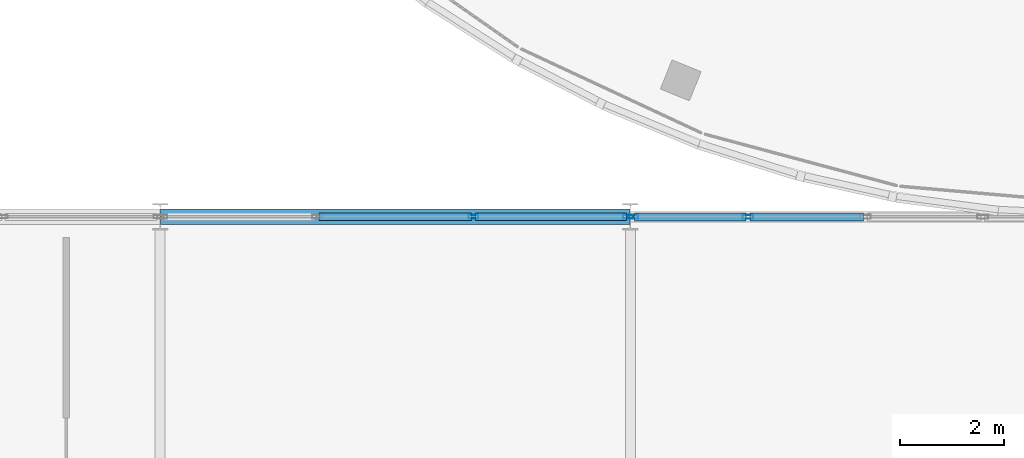
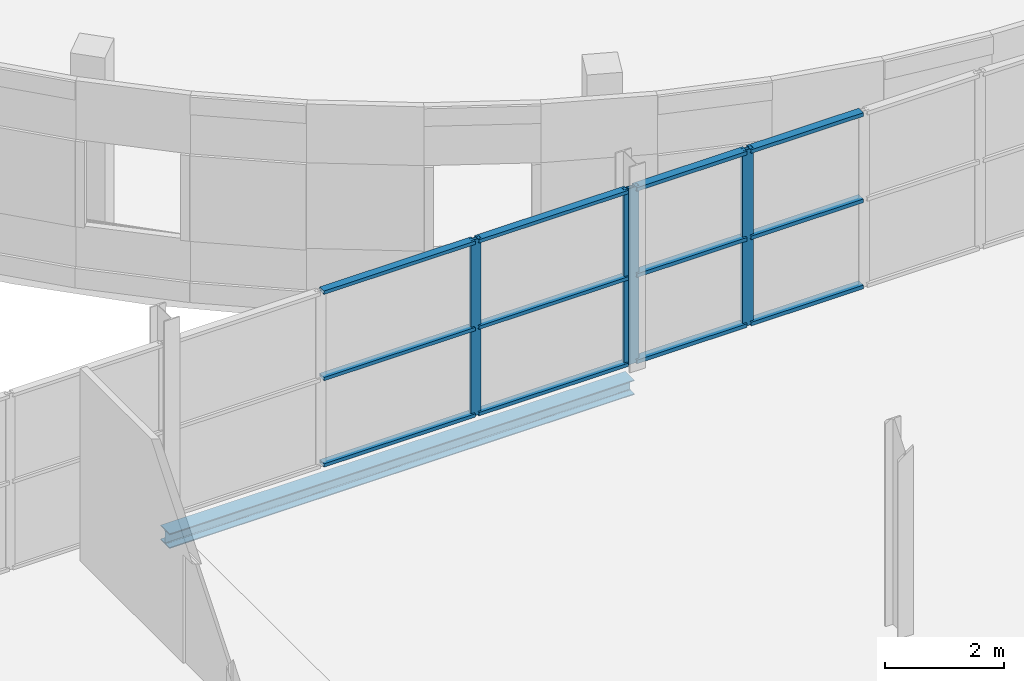
# One storey, part 71 of 132: 16 members, 1 beam, 2 elements without a shape of their own.
"""IFC4 building model written with IfcOpenShell, lengths in metres."""

from ifc_helpers import new_model, si_unit, direction, frame, origin, origin_2d, place, context, subcontext, project, spatial, hollow_rectangle, i_section, extrude, material, layer, layer_set, material_profile, profile_set, type_object, element, aggregate, save


model = new_model("IFC4")

# Units and contexts
model_context = context("Model", 3, precision=1e-05, world=origin(), true_north=direction((0.0, 1.0)))
body_context = subcontext(model_context, "Body", "Model", "MODEL_VIEW")
ifc_project = project(units=[si_unit("LENGTHUNIT", "METRE"), si_unit("AREAUNIT", "SQUARE_METRE"), si_unit("VOLUMEUNIT", "CUBIC_METRE"), si_unit("PLANEANGLEUNIT", "RADIAN"), si_unit("MASSUNIT", "GRAM", prefix="KILO")], contexts=[model_context])

# Site, building, storey
site_placement = place(None, origin())
site = spatial("IfcSite", under=ifc_project, at=site_placement, CompositionType="ELEMENT")
building_placement = place(site_placement, origin())
building = spatial("IfcBuilding", under=site, at=building_placement, Name="Deido Ridge Mobility Hub", CompositionType="ELEMENT")
storey_placement = place(building_placement, frame((0.0, 0.0, 8.39990234375)))
storey = spatial("IfcBuildingStorey", under=building, at=storey_placement, Name="L02", CompositionType="ELEMENT", Elevation=8.39990234375)

# Curtain wall, members
ifc_material_1 = material(Name="Anodised aluminium EN AW-6063 T6", Category="aluminium")
ifc_layer_1 = layer(ifc_material_1, 0.16796875, Name="Anodised aluminium EN AW-6063 T6")
ifc_layer_set_1 = layer_set([ifc_layer_1], Name="Anodised aluminium EN AW-6063 T6")
curtain_wall_type_1 = type_object("IfcCurtainWallType", Name="CW-GS-4", PredefinedType="USERDEFINED", material=ifc_layer_set_1)
curtain_wall_1_placement = place(storey_placement, origin())
curtain_wall_1 = element("IfcCurtainWall", 1, at=curtain_wall_1_placement, inside=storey, type_object=curtain_wall_type_1, Name="Unitised curtain wall GS4", ObjectType="GLAZED SCREEN", PredefinedType="USERDEFINED")
ifc_material_profile_1 = material_profile(ifc_material_1, hollow_rectangle(XDim=0.070068359375, YDim=0.18994140625, WallThickness=0.00390625, at=origin_2d()), Name="RHS 70x190x4")
ifc_profile_set_1 = profile_set([ifc_material_profile_1], Name="Anodised aluminium EN AW-6063 T6")
member_type_1 = type_object("IfcMemberType", Name="MEM-MUL-70X190", PredefinedType="MULLION", material=ifc_profile_set_1)
member_1_placement = place(storey_placement, frame((32.99755859375, 81.0, 0.0), z_axis=(0.0, 0.0, 1.0), x_axis=(0.0, 1.0, 0.0)))
member_1 = element("IfcMember", 2, at=member_1_placement, type_object=member_type_1, Name="GS4 mullion 3", PredefinedType="MULLION", context=body_context, shape_type="SweptSolid", body=[
    extrude(hollow_rectangle(XDim=0.070068359375, YDim=0.18994140625, WallThickness=0.00390625, at=origin_2d()), origin(), (0.0, 0.0, 1.0), 3.60009765625),
])
member_2_placement = place(storey_placement, frame((35.957763671875, 81.0, 0.0), z_axis=(0.0, 0.0, 1.0), x_axis=(0.0, 1.0, 0.0)))
member_2 = element("IfcMember", 3, at=member_2_placement, type_object=member_type_1, Name="GS4 mullion 4", PredefinedType="MULLION", context=body_context, shape_type="SweptSolid", body=[
    extrude(hollow_rectangle(XDim=0.070068359375, YDim=0.18994140625, WallThickness=0.00390625, at=origin_2d()), origin(), (0.0, 0.0, 1.0), 3.60009765625),
])

ifc_layer_2 = layer(ifc_material_1, 0.132080078125, Name="Anodised aluminium EN AW-6063 T6")
ifc_layer_set_2 = layer_set([ifc_layer_2], Name="Anodised aluminium EN AW-6063 T6")
curtain_wall_type_2 = type_object("IfcCurtainWallType", Name="CW-GS-1", PredefinedType="USERDEFINED", material=ifc_layer_set_2)
curtain_wall_2_placement = place(storey_placement, origin())
curtain_wall_2 = element("IfcCurtainWall", 4, at=curtain_wall_2_placement, inside=storey, type_object=curtain_wall_type_2, Name="Unitised curtain wall GS1", ObjectType="GLAZED SCREEN", PredefinedType="USERDEFINED")
ifc_material_profile_2 = material_profile(ifc_material_1, hollow_rectangle(XDim=0.074951171875, YDim=0.205078125, WallThickness=0.00390625, at=origin_2d()), Name="RHS 75x205x4")
ifc_profile_set_2 = profile_set([ifc_material_profile_2], Name="Anodised aluminium EN AW-6063 T6")
member_type_2 = type_object("IfcMemberType", Name="MEM-MUL-75X205", PredefinedType="MULLION", material=ifc_profile_set_2)
member_3_placement = place(storey_placement, frame((36.044677734375, 81.0, 0.0), z_axis=(0.0, 0.0, 1.0), x_axis=(0.0, 1.0, 0.0)))
member_3 = element("IfcMember", 5, at=member_3_placement, type_object=member_type_2, Name="GS1 mullion 1", PredefinedType="MULLION", context=body_context, shape_type="SweptSolid", body=[
    extrude(hollow_rectangle(XDim=0.074951171875, YDim=0.205078125, WallThickness=0.00390625, at=origin_2d()), origin(), (0.0, 0.0, 1.0), 3.60009765625),
])
member_4_placement = place(storey_placement, frame((38.253662109375, 81.0, 0.0), z_axis=(0.0, 0.0, 1.0), x_axis=(0.0, 1.0, 0.0)))
member_4 = element("IfcMember", 6, at=member_4_placement, type_object=member_type_2, Name="GS1 mullion 2", PredefinedType="MULLION", context=body_context, shape_type="SweptSolid", body=[
    extrude(hollow_rectangle(XDim=0.074951171875, YDim=0.205078125, WallThickness=0.00390625, at=origin_2d()), origin(), (0.0, 0.0, 1.0), 3.60009765625),
])

# Member
ifc_material_profile_3 = material_profile(ifc_material_1, hollow_rectangle(XDim=0.14501953125, YDim=0.070068359375, WallThickness=0.00390625, at=origin_2d()), Name="RHS 145x70x4")
ifc_profile_set_3 = profile_set([ifc_material_profile_3], Name="Anodised aluminium EN AW-6063 T6")
member_type_3 = type_object("IfcMemberType", Name="MEM-TRN-145X70", PredefinedType="USERDEFINED", material=ifc_profile_set_3)
member_5_placement = place(storey_placement, frame((30.037353515625, 81.0, 0.03515625), z_axis=(1.0, 0.0, 0.0), x_axis=(0.0, 1.0, 0.0)))
member_5 = element("IfcMember", 7, at=member_5_placement, type_object=member_type_3, Name="GS4 transom 2.1", ObjectType="TRANSOM", PredefinedType="USERDEFINED", context=body_context, shape_type="SweptSolid", body=[
    extrude(hollow_rectangle(XDim=0.14501953125, YDim=0.070068359375, WallThickness=0.00390625, at=origin_2d()), origin(), (0.0, 0.0, 1.0), 2.92529296875),
])

member_6_placement = place(storey_placement, frame((30.037353515625, 81.0, 1.800048828125), z_axis=(1.0, 0.0, 0.0), x_axis=(0.0, 1.0, 0.0)))
member_6 = element("IfcMember", 8, at=member_6_placement, type_object=member_type_3, Name="GS4 transom 2.2", ObjectType="TRANSOM", PredefinedType="USERDEFINED", context=body_context, shape_type="SweptSolid", body=[
    extrude(hollow_rectangle(XDim=0.14501953125, YDim=0.070068359375, WallThickness=0.00390625, at=origin_2d()), origin(), (0.0, 0.0, 1.0), 2.92529296875),
])

member_7_placement = place(storey_placement, frame((30.037353515625, 81.0, 3.565185546875), z_axis=(1.0, 0.0, 0.0), x_axis=(0.0, 1.0, 0.0)))
member_7 = element("IfcMember", 9, at=member_7_placement, type_object=member_type_3, Name="GS4 transom 2.3", ObjectType="TRANSOM", PredefinedType="USERDEFINED", context=body_context, shape_type="SweptSolid", body=[
    extrude(hollow_rectangle(XDim=0.14501953125, YDim=0.070068359375, WallThickness=0.00390625, at=origin_2d()), origin(), (0.0, 0.0, 1.0), 2.92529296875),
])

member_8_placement = place(storey_placement, frame((33.03271484375, 81.0, 0.03515625), z_axis=(1.0, 0.0, 0.0), x_axis=(0.0, 1.0, 0.0)))
member_8 = element("IfcMember", 10, at=member_8_placement, type_object=member_type_3, Name="GS4 transom 3.1", ObjectType="TRANSOM", PredefinedType="USERDEFINED", context=body_context, shape_type="SweptSolid", body=[
    extrude(hollow_rectangle(XDim=0.14501953125, YDim=0.070068359375, WallThickness=0.00390625, at=origin_2d()), origin(), (0.0, 0.0, 1.0), 2.89013671875),
])

member_9_placement = place(storey_placement, frame((33.03271484375, 81.0, 1.800048828125), z_axis=(1.0, 0.0, 0.0), x_axis=(0.0, 1.0, 0.0)))
member_9 = element("IfcMember", 11, at=member_9_placement, type_object=member_type_3, Name="GS4 transom 3.2", ObjectType="TRANSOM", PredefinedType="USERDEFINED", context=body_context, shape_type="SweptSolid", body=[
    extrude(hollow_rectangle(XDim=0.14501953125, YDim=0.070068359375, WallThickness=0.00390625, at=origin_2d()), origin(), (0.0, 0.0, 1.0), 2.89013671875),
])

member_10_placement = place(storey_placement, frame((33.03271484375, 81.0, 3.565185546875), z_axis=(1.0, 0.0, 0.0), x_axis=(0.0, 1.0, 0.0)))
member_10 = element("IfcMember", 12, at=member_10_placement, type_object=member_type_3, Name="GS4 transom 3.3", ObjectType="TRANSOM", PredefinedType="USERDEFINED", context=body_context, shape_type="SweptSolid", body=[
    extrude(hollow_rectangle(XDim=0.14501953125, YDim=0.070068359375, WallThickness=0.00390625, at=origin_2d()), origin(), (0.0, 0.0, 1.0), 2.89013671875),
])

aggregate(curtain_wall_1, [member_1, member_2, member_5, member_6, member_7, member_8, member_9, member_10])

ifc_material_profile_4 = material_profile(ifc_material_1, hollow_rectangle(XDim=0.155029296875, YDim=0.074951171875, WallThickness=0.00390625, at=origin_2d()), Name="RHS 155x75x4")
ifc_profile_set_4 = profile_set([ifc_material_profile_4], Name="Anodised aluminium EN AW-6063 T6")
member_type_4 = type_object("IfcMemberType", Name="MEM-TRN-155X75", PredefinedType="USERDEFINED", material=ifc_profile_set_4)
member_11_placement = place(storey_placement, frame((36.082275390625, 81.0, 0.03759765625), z_axis=(1.0, 0.0, 0.0), x_axis=(0.0, 1.0, 0.0)))
member_11 = element("IfcMember", 13, at=member_11_placement, type_object=member_type_4, Name="GS1 transom 1.1", ObjectType="TRANSOM", PredefinedType="USERDEFINED", context=body_context, shape_type="SweptSolid", body=[
    extrude(hollow_rectangle(XDim=0.155029296875, YDim=0.074951171875, WallThickness=0.00390625, at=origin_2d()), origin(), (0.0, 0.0, 1.0), 2.1337890625),
])

member_12_placement = place(storey_placement, frame((36.082275390625, 81.0, 1.800048828125), z_axis=(1.0, 0.0, 0.0), x_axis=(0.0, 1.0, 0.0)))
member_12 = element("IfcMember", 14, at=member_12_placement, type_object=member_type_4, Name="GS1 transom 1.2", ObjectType="TRANSOM", PredefinedType="USERDEFINED", context=body_context, shape_type="SweptSolid", body=[
    extrude(hollow_rectangle(XDim=0.155029296875, YDim=0.074951171875, WallThickness=0.00390625, at=origin_2d()), origin(), (0.0, 0.0, 1.0), 2.1337890625),
])

member_13_placement = place(storey_placement, frame((36.082275390625, 81.0, 3.5625), z_axis=(1.0, 0.0, 0.0), x_axis=(0.0, 1.0, 0.0)))
member_13 = element("IfcMember", 15, at=member_13_placement, type_object=member_type_4, Name="GS1 transom 1.3", ObjectType="TRANSOM", PredefinedType="USERDEFINED", context=body_context, shape_type="SweptSolid", body=[
    extrude(hollow_rectangle(XDim=0.155029296875, YDim=0.074951171875, WallThickness=0.00390625, at=origin_2d()), origin(), (0.0, 0.0, 1.0), 2.1337890625),
])

member_14_placement = place(storey_placement, frame((38.291015625, 81.0, 0.03759765625), z_axis=(1.0, 0.0, 0.0), x_axis=(0.0, 1.0, 0.0)))
member_14 = element("IfcMember", 16, at=member_14_placement, type_object=member_type_4, Name="GS1 transom 2.1", ObjectType="TRANSOM", PredefinedType="USERDEFINED", context=body_context, shape_type="SweptSolid", body=[
    extrude(hollow_rectangle(XDim=0.155029296875, YDim=0.074951171875, WallThickness=0.00390625, at=origin_2d()), origin(), (0.0, 0.0, 1.0), 2.17138671875),
])

member_15_placement = place(storey_placement, frame((38.291015625, 81.0, 1.800048828125), z_axis=(1.0, 0.0, 0.0), x_axis=(0.0, 1.0, 0.0)))
member_15 = element("IfcMember", 17, at=member_15_placement, type_object=member_type_4, Name="GS1 transom 2.2", ObjectType="TRANSOM", PredefinedType="USERDEFINED", context=body_context, shape_type="SweptSolid", body=[
    extrude(hollow_rectangle(XDim=0.155029296875, YDim=0.074951171875, WallThickness=0.00390625, at=origin_2d()), origin(), (0.0, 0.0, 1.0), 2.17138671875),
])

member_16_placement = place(storey_placement, frame((38.291015625, 81.0, 3.5625), z_axis=(1.0, 0.0, 0.0), x_axis=(0.0, 1.0, 0.0)))
member_16 = element("IfcMember", 18, at=member_16_placement, type_object=member_type_4, Name="GS1 transom 2.3", ObjectType="TRANSOM", PredefinedType="USERDEFINED", context=body_context, shape_type="SweptSolid", body=[
    extrude(hollow_rectangle(XDim=0.155029296875, YDim=0.074951171875, WallThickness=0.00390625, at=origin_2d()), origin(), (0.0, 0.0, 1.0), 2.17138671875),
])

aggregate(curtain_wall_2, [member_3, member_4, member_11, member_12, member_13, member_14, member_15, member_16])

# Beam
ifc_material_2 = material(Name="Steel S355J2 EN 10025-2", Category="steel")
ifc_material_profile_5 = material_profile(ifc_material_2, i_section(OverallWidth=0.300048828125, OverallDepth=0.300048828125, WebThickness=0.010986328125, FlangeThickness=0.01904296875, FilletRadius=0.027099609375, at=origin_2d()), Name="HEB 300")
ifc_profile_set_5 = profile_set([ifc_material_profile_5], Name="Steel S355J2 EN 10025-2")
beam_type = type_object("IfcBeamType", Name="SPD-HEB300", PredefinedType="SPANDREL", material=ifc_profile_set_5)
beam_placement = place(storey_placement, frame((27.007080078125, 81.0, -0.40478515625), z_axis=(1.0, 0.0, 0.0), x_axis=(0.0, 1.0, 0.0)))
element("IfcBeam", 19, at=beam_placement, inside=storey, type_object=beam_type, Name="Floor beam SP1", PredefinedType="SPANDREL", context=body_context, shape_type="SweptSolid", body=[
    extrude(i_section(OverallWidth=0.300048828125, OverallDepth=0.300048828125, WebThickness=0.010986328125, FlangeThickness=0.01904296875, FilletRadius=0.027099609375, at=origin_2d()), origin(), (0.0, 0.0, 1.0), 8.98583984375),
])

save(model, "model.ifc")
